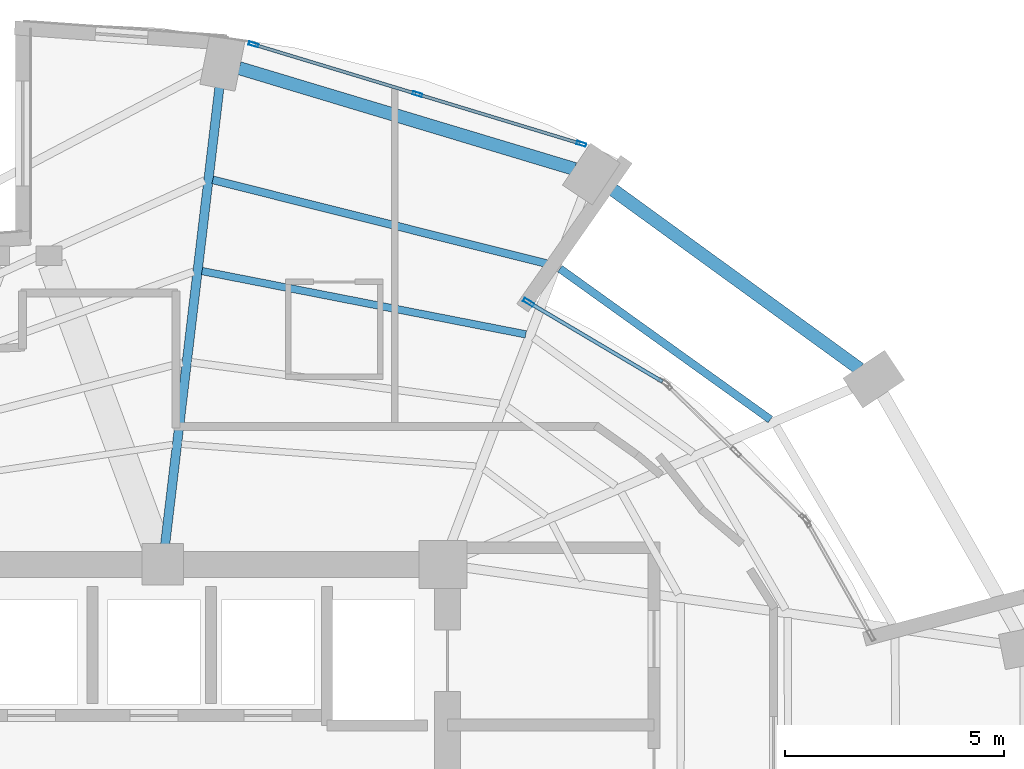
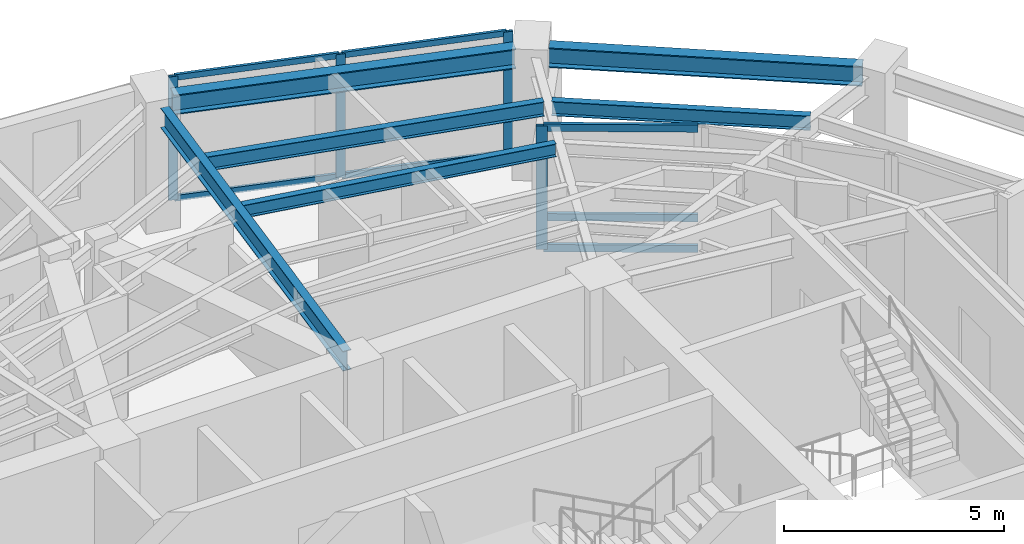
# One storey, part 13 of 19: 11 members, 6 beams, 2 elements without a shape of their own.
"""IFC4 building model written with IfcOpenShell, lengths in metres."""

from ifc_helpers import new_model, si_unit, direction, frame, origin, origin_2d, place, context, subcontext, project, spatial, hollow_rectangle, i_section, extrude, material, layer, layer_set, material_profile, profile_set, type_object, element, aggregate, save


model = new_model("IFC4")

# Units and contexts
model_context = context("Model", 3, precision=1e-05, world=origin(), true_north=direction((0.0, 1.0)))
body_context = subcontext(model_context, "Body", "Model", "MODEL_VIEW")
ifc_project = project(units=[si_unit("LENGTHUNIT", "METRE"), si_unit("AREAUNIT", "SQUARE_METRE"), si_unit("VOLUMEUNIT", "CUBIC_METRE"), si_unit("PLANEANGLEUNIT", "RADIAN"), si_unit("MASSUNIT", "GRAM", prefix="KILO")], contexts=[model_context])

# Site, building, storey
site_placement = place(None, origin())
site = spatial("IfcSite", under=ifc_project, at=site_placement, CompositionType="ELEMENT")
building_placement = place(site_placement, origin())
building = spatial("IfcBuilding", under=site, at=building_placement, Name="Lazwardi Medical Tower", CompositionType="ELEMENT")
storey_placement = place(building_placement, frame((0.0, 0.0, 171.1201171875)))
storey = spatial("IfcBuildingStorey", under=building, at=storey_placement, Name="L44", CompositionType="ELEMENT", Elevation=171.1201171875)

# Beams
ifc_material_1 = material(Name="Steel S355", Category="steel")
ifc_material_profile_1 = material_profile(ifc_material_1, i_section(OverallWidth=0.300048828125, OverallDepth=0.550048828125, WebThickness=0.014892578125, FlangeThickness=0.029052734375, at=origin_2d()), Name="HEB 550")
ifc_profile_set_1 = profile_set([ifc_material_profile_1], Name="Steel S355")
beam_type_1 = type_object("IfcBeamType", Name="BM-RB-Z3", PredefinedType="BEAM", material=ifc_profile_set_1)
beam_1_placement = place(storey_placement, frame((55.11181640625, 40.06591796875, 3.15283203125), z_axis=(-0.809127570774, 0.587633026824, 0.0), x_axis=(-0.587633026824, -0.809127570774, 0.0)))
element("IfcBeam", 1, at=beam_1_placement, inside=storey, type_object=beam_type_1, Name="Ring beam RB-04 B06 L44", PredefinedType="BEAM", context=body_context, shape_type="SweptSolid", body=[
    extrude(i_section(OverallWidth=0.300048828125, OverallDepth=0.550048828125, WebThickness=0.014892578125, FlangeThickness=0.029052734375, at=origin_2d()), origin(), (0.0, 0.0, 1.0), 7.170166015625),
])
beam_2_placement = place(storey_placement, frame((48.603515625, 44.62939453125, 3.15283203125), z_axis=(-0.957616873483, 0.288045002771, 0.0), x_axis=(-0.288045002771, -0.957616873483, 0.0)))
element("IfcBeam", 2, at=beam_2_placement, inside=storey, type_object=beam_type_1, Name="Ring beam RB-04 B07 L44", PredefinedType="BEAM", context=body_context, shape_type="SweptSolid", body=[
    extrude(i_section(OverallWidth=0.300048828125, OverallDepth=0.550048828125, WebThickness=0.014892578125, FlangeThickness=0.029052734375, at=origin_2d()), origin(), (0.0, 0.0, 1.0), 7.99951171875),
])
ifc_material_profile_2 = material_profile(ifc_material_1, i_section(OverallWidth=0.2099609375, OverallDepth=0.550048828125, WebThickness=0.010986328125, FlangeThickness=0.01708984375, at=origin_2d()), Name="IPE 550")
ifc_profile_set_2 = profile_set([ifc_material_profile_2], Name="Steel S355")
beam_type_2 = type_object("IfcBeamType", Name="BM-RG-W2", PredefinedType="BEAM", material=ifc_profile_set_2)
beam_3_placement = place(storey_placement, frame((40.494140625, 46.49267578125, 3.15283203125), z_axis=(-0.117968004211, -0.993017396616, 0.0), x_axis=(0.993017396616, -0.117968004211, 0.0)))
element("IfcBeam", 3, at=beam_3_placement, inside=storey, type_object=beam_type_2, Name="Radial girder RG-03 R08 L44", PredefinedType="BEAM", context=body_context, shape_type="SweptSolid", body=[
    extrude(i_section(OverallWidth=0.2099609375, OverallDepth=0.550048828125, WebThickness=0.010986328125, FlangeThickness=0.01708984375, at=origin_2d()), origin(), (0.0, 0.0, 1.0), 10.50927734375),
])
ifc_material_profile_3 = material_profile(ifc_material_1, i_section(OverallWidth=0.179931640625, OverallDepth=0.39990234375, WebThickness=0.008544921875, FlangeThickness=0.013427734375, at=origin_2d()), Name="IPE 400")
ifc_profile_set_3 = profile_set([ifc_material_profile_3], Name="Steel S355")
beam_type_3 = type_object("IfcBeamType", Name="BM-SJ-01", PredefinedType="JOIST", material=ifc_profile_set_3)
beam_4_placement = place(storey_placement, frame((53.073974609375, 38.908203125, 3.227783203125), z_axis=(-0.812602017757, 0.582818977675, 0.0), x_axis=(-0.582818977675, -0.812602017757, 0.0)))
element("IfcBeam", 4, at=beam_4_placement, inside=storey, type_object=beam_type_3, Name="Secondary joist SJ-01 R1 B06 L44", PredefinedType="JOIST", context=body_context, shape_type="SweptSolid", body=[
    extrude(i_section(OverallWidth=0.179931640625, OverallDepth=0.39990234375, WebThickness=0.008544921875, FlangeThickness=0.013427734375, at=origin_2d()), origin(), (0.0, 0.0, 1.0), 5.91259765625),
])
beam_5_placement = place(storey_placement, frame((48.091064453125, 42.43701171875, 3.227783203125), z_axis=(-0.969933596942, 0.243369713652, 0.0), x_axis=(-0.243369713652, -0.969933596942, 0.0)))
element("IfcBeam", 5, at=beam_5_placement, inside=storey, type_object=beam_type_3, Name="Secondary joist SJ-01 R1 B07 L44", PredefinedType="JOIST", context=body_context, shape_type="SweptSolid", body=[
    extrude(i_section(OverallWidth=0.179931640625, OverallDepth=0.39990234375, WebThickness=0.008544921875, FlangeThickness=0.013427734375, at=origin_2d()), origin(), (0.0, 0.0, 1.0), 7.98828125),
])
ifc_material_profile_4 = material_profile(ifc_material_1, i_section(OverallWidth=0.169921875, OverallDepth=0.360107421875, WebThickness=0.008056640625, FlangeThickness=0.0126953125, at=origin_2d()), Name="IPE 360")
ifc_profile_set_4 = profile_set([ifc_material_profile_4], Name="Steel S355")
beam_type_4 = type_object("IfcBeamType", Name="BM-SJ-02", PredefinedType="JOIST", material=ifc_profile_set_4)
beam_6_placement = place(storey_placement, frame((47.490478515625, 40.853515625, 3.247802734375), z_axis=(-0.98141534692, 0.191895588353, 0.0), x_axis=(-0.191895588353, -0.98141534692, 0.0)))
element("IfcBeam", 6, at=beam_6_placement, inside=storey, type_object=beam_type_4, Name="Secondary joist SJ-02 R2 B07 L44", PredefinedType="JOIST", context=body_context, shape_type="SweptSolid", body=[
    extrude(i_section(OverallWidth=0.169921875, OverallDepth=0.360107421875, WebThickness=0.008056640625, FlangeThickness=0.0126953125, at=origin_2d()), origin(), (0.0, 0.0, 1.0), 7.534423828125),
])

# Curtain wall, members
ifc_material_2 = material(Name="Anodised bronze aluminium and solar control glazing", Category="aluminium")
ifc_layer_1 = layer(ifc_material_2, 0.195068359375)
ifc_layer_set_1 = layer_set([ifc_layer_1], Name="Anodised bronze aluminium and solar control glazing")
curtain_wall_type_1 = type_object("IfcCurtainWallType", Name="CW-SYS-03", PredefinedType="NOTDEFINED", material=ifc_layer_set_1)
curtain_wall_1_placement = place(storey_placement, origin())
curtain_wall_1 = element("IfcCurtainWall", 7, at=curtain_wall_1_placement, inside=storey, type_object=curtain_wall_type_1, Name="L44 Unitised bronze curtain wall CW-03", PredefinedType="NOTDEFINED")
ifc_material_3 = material(Name="Anodised bronze aluminium", Category="aluminium")
ifc_material_profile_5 = material_profile(ifc_material_3, hollow_rectangle(XDim=0.074951171875, YDim=0.219970703125, WallThickness=0.00390625, at=origin_2d()), Name="ALU-MULLION 220x75x4")
ifc_profile_set_5 = profile_set([ifc_material_profile_5], Name="Anodised bronze aluminium")
member_type_1 = type_object("IfcMemberType", Name="CW-MUL-01", PredefinedType="MULLION", material=ifc_profile_set_5)
member_1_placement = place(storey_placement, frame((48.758056640625, 45.203369140625, 0.0), z_axis=(0.0, 0.0, 1.0), x_axis=(-0.290280785441, -0.956941516292, 0.0)))
member_1 = element("IfcMember", 8, at=member_1_placement, type_object=member_type_1, Name="CW-03 mullion 1", PredefinedType="MULLION", context=body_context, shape_type="SweptSolid", body=[
    extrude(hollow_rectangle(XDim=0.074951171875, YDim=0.219970703125, WallThickness=0.00390625, at=origin_2d()), origin(), (0.0, 0.0, 1.0), 3.427978515625),
])
member_2_placement = place(storey_placement, frame((45.01513671875, 46.338623046875, 0.0), z_axis=(0.0, 0.0, 1.0), x_axis=(-0.290280785441, -0.956941516292, 0.0)))
member_2 = element("IfcMember", 9, at=member_2_placement, type_object=member_type_1, Name="CW-03 mullion 2", PredefinedType="MULLION", context=body_context, shape_type="SweptSolid", body=[
    extrude(hollow_rectangle(XDim=0.074951171875, YDim=0.219970703125, WallThickness=0.00390625, at=origin_2d()), origin(), (0.0, 0.0, 1.0), 3.427978515625),
])
member_3_placement = place(storey_placement, frame((41.27197265625, 47.47412109375, 0.0), z_axis=(0.0, 0.0, 1.0), x_axis=(-0.290280785441, -0.956941516292, 0.0)))
member_3 = element("IfcMember", 10, at=member_3_placement, type_object=member_type_1, Name="CW-03 mullion 3", PredefinedType="MULLION", context=body_context, shape_type="SweptSolid", body=[
    extrude(hollow_rectangle(XDim=0.074951171875, YDim=0.219970703125, WallThickness=0.00390625, at=origin_2d()), origin(), (0.0, 0.0, 1.0), 3.427978515625),
])

# Curtain wall, member
ifc_layer_2 = layer(ifc_material_2, 0.239990234375)
ifc_layer_set_2 = layer_set([ifc_layer_2], Name="Anodised bronze aluminium and solar control glazing")
curtain_wall_type_2 = type_object("IfcCurtainWallType", Name="CW-SYS-05", PredefinedType="NOTDEFINED", material=ifc_layer_set_2)
curtain_wall_2_placement = place(storey_placement, origin())
curtain_wall_2 = element("IfcCurtainWall", 11, at=curtain_wall_2_placement, inside=storey, type_object=curtain_wall_type_2, Name="L44 Unitised bronze curtain wall CW-05", PredefinedType="NOTDEFINED")
ifc_material_profile_6 = material_profile(ifc_material_3, hollow_rectangle(XDim=0.0849609375, YDim=0.260009765625, WallThickness=0.0048828125, at=origin_2d()), Name="ALU-MULLION 260x85x5")
ifc_profile_set_6 = profile_set([ifc_material_profile_6], Name="Anodised bronze aluminium")
member_type_2 = type_object("IfcMemberType", Name="CW-MUL-02", PredefinedType="MULLION", material=ifc_profile_set_6)
member_4_placement = place(storey_placement, frame((47.553955078125, 41.584228515625, 0.0), z_axis=(0.0, 0.0, 1.0), x_axis=(-0.509570850923, -0.860428700061, 0.0)))
member_4 = element("IfcMember", 12, at=member_4_placement, type_object=member_type_2, Name="CW-05 mullion 2", PredefinedType="MULLION", context=body_context, shape_type="SweptSolid", body=[
    extrude(hollow_rectangle(XDim=0.0849609375, YDim=0.260009765625, WallThickness=0.0048828125, at=origin_2d()), origin(), (0.0, 0.0, 1.0), 3.427978515625),
])

# Member
ifc_material_profile_7 = material_profile(ifc_material_3, hollow_rectangle(XDim=0.074951171875, YDim=0.159912109375, WallThickness=0.00390625, at=origin_2d()), Name="ALU-TRANSOM 160x75x4")
ifc_profile_set_7 = profile_set([ifc_material_profile_7], Name="Anodised bronze aluminium")
member_type_3 = type_object("IfcMemberType", Name="CW-TRN-01", PredefinedType="USERDEFINED", material=ifc_profile_set_7)
member_5_placement = place(storey_placement, frame((48.72216796875, 45.214111328125, 0.037353515625), z_axis=(-0.956930154175, 0.290318239233, 0.0), x_axis=(-0.290318239233, -0.956930154175, 0.0)))
member_5 = element("IfcMember", 13, at=member_5_placement, type_object=member_type_3, Name="CW-03 transom 1.1", ObjectType="TRANSOM", PredefinedType="USERDEFINED", context=body_context, shape_type="SweptSolid", body=[
    extrude(hollow_rectangle(XDim=0.074951171875, YDim=0.159912109375, WallThickness=0.00390625, at=origin_2d()), origin(), (0.0, 0.0, 1.0), 3.83642578125),
])

member_6_placement = place(storey_placement, frame((48.72216796875, 45.214111328125, 3.390380859375), z_axis=(-0.956930154175, 0.290318239233, 0.0), x_axis=(-0.290318239233, -0.956930154175, 0.0)))
member_6 = element("IfcMember", 14, at=member_6_placement, type_object=member_type_3, Name="CW-03 transom 1.2", ObjectType="TRANSOM", PredefinedType="USERDEFINED", context=body_context, shape_type="SweptSolid", body=[
    extrude(hollow_rectangle(XDim=0.074951171875, YDim=0.159912109375, WallThickness=0.00390625, at=origin_2d()), origin(), (0.0, 0.0, 1.0), 3.83642578125),
])

member_7_placement = place(storey_placement, frame((44.979248046875, 46.349609375, 0.037353515625), z_axis=(-0.95695319357, 0.290242287264, 0.0), x_axis=(-0.290242287264, -0.95695319357, 0.0)))
member_7 = element("IfcMember", 15, at=member_7_placement, type_object=member_type_3, Name="CW-03 transom 2.1", ObjectType="TRANSOM", PredefinedType="USERDEFINED", context=body_context, shape_type="SweptSolid", body=[
    extrude(hollow_rectangle(XDim=0.074951171875, YDim=0.159912109375, WallThickness=0.00390625, at=origin_2d()), origin(), (0.0, 0.0, 1.0), 3.83642578125),
])

member_8_placement = place(storey_placement, frame((44.979248046875, 46.349609375, 3.390380859375), z_axis=(-0.95695319357, 0.290242287264, 0.0), x_axis=(-0.290242287264, -0.95695319357, 0.0)))
member_8 = element("IfcMember", 16, at=member_8_placement, type_object=member_type_3, Name="CW-03 transom 2.2", ObjectType="TRANSOM", PredefinedType="USERDEFINED", context=body_context, shape_type="SweptSolid", body=[
    extrude(hollow_rectangle(XDim=0.074951171875, YDim=0.159912109375, WallThickness=0.00390625, at=origin_2d()), origin(), (0.0, 0.0, 1.0), 3.83642578125),
])

aggregate(curtain_wall_1, [member_1, member_2, member_3, member_5, member_6, member_7, member_8])

ifc_material_profile_8 = material_profile(ifc_material_3, hollow_rectangle(XDim=0.0849609375, YDim=0.199951171875, WallThickness=0.00439453125, at=origin_2d()), Name="ALU-TRANSOM 200x85x4.5")
ifc_profile_set_8 = profile_set([ifc_material_profile_8], Name="Anodised bronze aluminium")
member_type_4 = type_object("IfcMemberType", Name="CW-TRN-02", PredefinedType="USERDEFINED", material=ifc_profile_set_8)
member_9_placement = place(storey_placement, frame((50.612548828125, 39.77294921875, 0.04248046875), z_axis=(-0.860416840555, 0.509590875595, 0.0), x_axis=(-0.509590875595, -0.860416840555, 0.0)))
member_9 = element("IfcMember", 17, at=member_9_placement, type_object=member_type_4, Name="CW-05 transom 1.1", ObjectType="TRANSOM", PredefinedType="USERDEFINED", context=body_context, shape_type="SweptSolid", body=[
    extrude(hollow_rectangle(XDim=0.0849609375, YDim=0.199951171875, WallThickness=0.00439453125, at=origin_2d()), origin(), (0.0, 0.0, 1.0), 3.51220703125),
])

member_10_placement = place(storey_placement, frame((50.612548828125, 39.77294921875, 0.89990234375), z_axis=(-0.860416840555, 0.509590875595, 0.0), x_axis=(-0.509590875595, -0.860416840555, 0.0)))
member_10 = element("IfcMember", 18, at=member_10_placement, type_object=member_type_4, Name="CW-05 transom 1.2", ObjectType="TRANSOM", PredefinedType="USERDEFINED", context=body_context, shape_type="SweptSolid", body=[
    extrude(hollow_rectangle(XDim=0.0849609375, YDim=0.199951171875, WallThickness=0.00439453125, at=origin_2d()), origin(), (0.0, 0.0, 1.0), 3.51220703125),
])

member_11_placement = place(storey_placement, frame((50.612548828125, 39.77294921875, 3.385498046875), z_axis=(-0.860416840555, 0.509590875595, 0.0), x_axis=(-0.509590875595, -0.860416840555, 0.0)))
member_11 = element("IfcMember", 19, at=member_11_placement, type_object=member_type_4, Name="CW-05 transom 1.3", ObjectType="TRANSOM", PredefinedType="USERDEFINED", context=body_context, shape_type="SweptSolid", body=[
    extrude(hollow_rectangle(XDim=0.0849609375, YDim=0.199951171875, WallThickness=0.00439453125, at=origin_2d()), origin(), (0.0, 0.0, 1.0), 3.51220703125),
])

aggregate(curtain_wall_2, [member_4, member_9, member_10, member_11])

save(model, "model.ifc")
